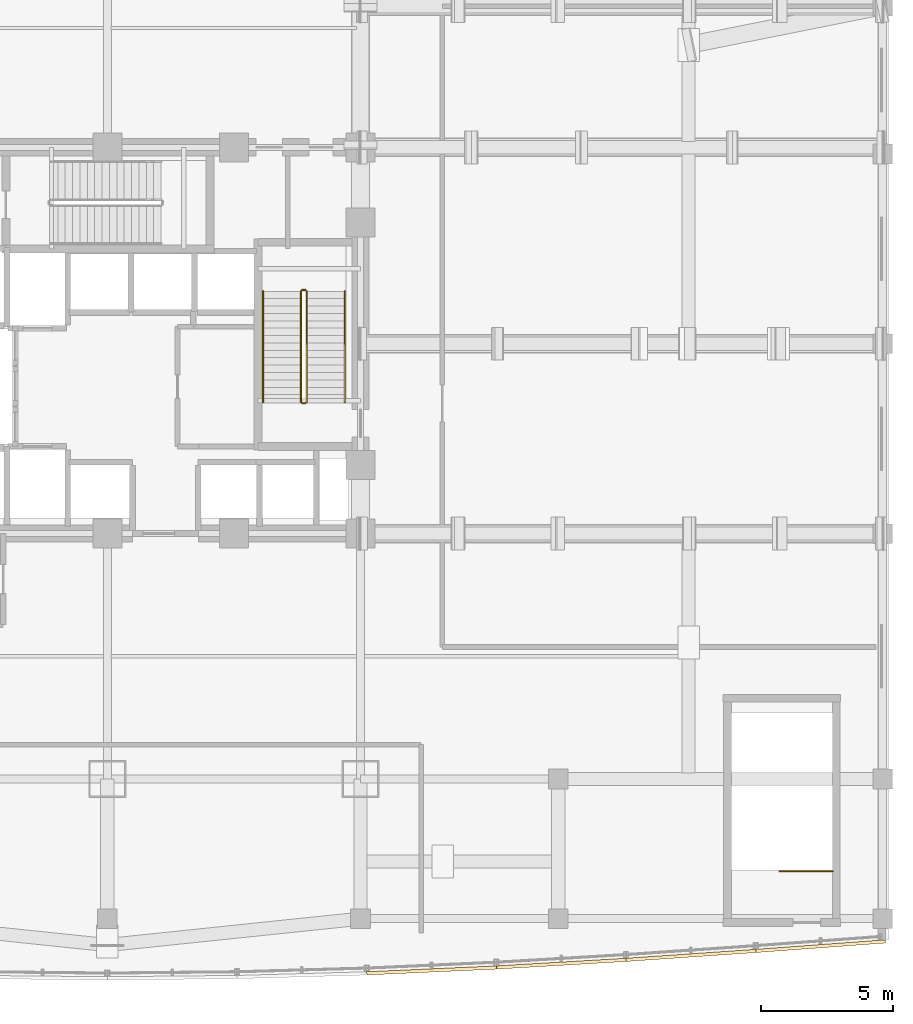
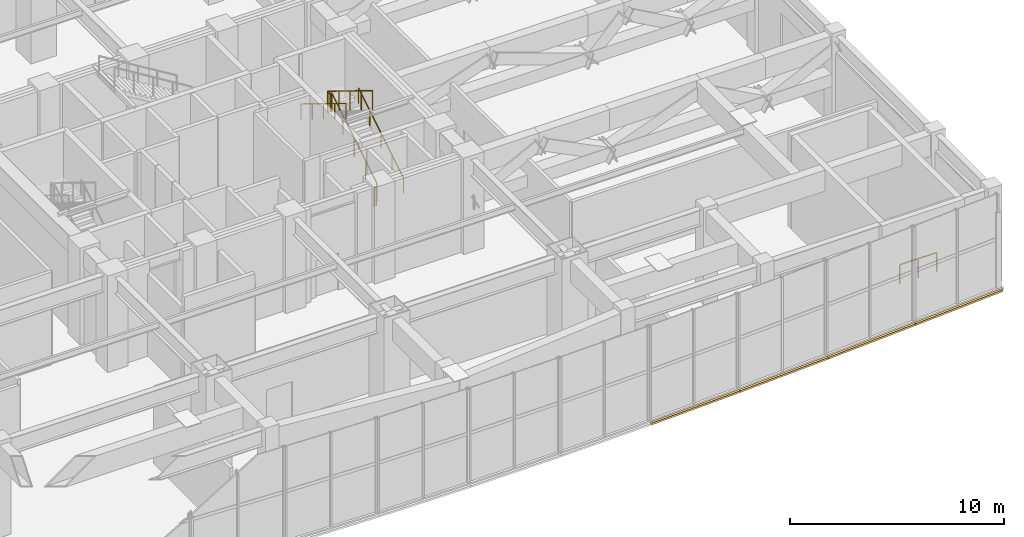
# One storey, part 18 of 19: 7 railings, 4 coverings.
"""IFC4 building model written with IfcOpenShell, lengths in metres."""

from ifc_helpers import new_model, si_unit, direction, frame, origin, origin_2d, place, context, subcontext, project, spatial, polyline, rectangle, outline, extrude, material, layer, layer_set, type_object, element, save


model = new_model("IFC4")

# Units and contexts
model_context = context("Model", 3, precision=1e-05, world=origin(), true_north=direction((0.0, 1.0)))
body_context = subcontext(model_context, "Body", "Model", "MODEL_VIEW")
ifc_project = project(units=[si_unit("LENGTHUNIT", "METRE"), si_unit("AREAUNIT", "SQUARE_METRE"), si_unit("VOLUMEUNIT", "CUBIC_METRE"), si_unit("PLANEANGLEUNIT", "RADIAN"), si_unit("MASSUNIT", "GRAM", prefix="KILO")], contexts=[model_context])

# Site, building, storey
site_placement = place(None, origin())
site = spatial("IfcSite", under=ifc_project, at=site_placement, CompositionType="ELEMENT")
building_placement = place(site_placement, origin())
building = spatial("IfcBuilding", under=site, at=building_placement, Name="Vantalir Tower", CompositionType="ELEMENT")
storey_placement = place(building_placement, frame((0.0, 0.0, 21.5)))
storey = spatial("IfcBuildingStorey", under=building, at=storey_placement, Name="L04", CompositionType="ELEMENT", Elevation=21.5)

# Coverings
ifc_material_1 = material(Name="Anodised champagne aluminium sill fascia", Category="aluminium")
ifc_layer = layer(ifc_material_1, 0.125)
ifc_layer_set = layer_set([ifc_layer], Name="Anodised champagne aluminium sill fascia")
covering_type = type_object("IfcCoveringType", Name="COV-SLAB-FASCIA-125", PredefinedType="CLADDING", material=ifc_layer_set)
covering_1_placement = place(storey_placement, frame((0.0, 0.0, -0.179931640625)))
element("IfcCovering", 1, at=covering_1_placement, inside=storey, type_object=covering_type, Name="L04 South Prow Slab-Edge Fascia 09", PredefinedType="CLADDING", context=body_context, shape_type="SweptSolid", body=[
    extrude(outline(polyline([(41.3330078125, 1.18798828125), (41.339111328125, 1.06298828125), (46.256103515625, 1.284912109375), (46.25, 1.409912109375), (41.3330078125, 1.18798828125)])), origin(), (0.0, 0.0, 1.0), 0.10498046875),
])
covering_2_placement = place(storey_placement, frame((0.0, 0.0, -0.179931640625)))
element("IfcCovering", 2, at=covering_2_placement, inside=storey, type_object=covering_type, Name="L04 South Prow Slab-Edge Fascia 10", PredefinedType="CLADDING", context=body_context, shape_type="SweptSolid", body=[
    extrude(outline(polyline([(46.25, 1.409912109375), (46.257080078125, 1.284912109375), (51.174072265625, 1.574951171875), (51.1669921875, 1.699951171875), (46.25, 1.409912109375)])), origin(), (0.0, 0.0, 1.0), 0.10498046875),
])
covering_3_placement = place(storey_placement, frame((0.0, 0.0, -0.179931640625)))
element("IfcCovering", 3, at=covering_3_placement, inside=storey, type_object=covering_type, Name="L04 South Prow Slab-Edge Fascia 11", PredefinedType="CLADDING", context=body_context, shape_type="SweptSolid", body=[
    extrude(outline(polyline([(51.1669921875, 1.699951171875), (51.176025390625, 1.574951171875), (56.092041015625, 1.9130859375), (56.0830078125, 2.0380859375), (51.1669921875, 1.699951171875)])), origin(), (0.0, 0.0, 1.0), 0.10498046875),
])
covering_4_placement = place(storey_placement, frame((0.0, 0.0, -0.179931640625)))
element("IfcCovering", 4, at=covering_4_placement, inside=storey, type_object=covering_type, Name="L04 South Prow Slab-Edge Fascia 12", PredefinedType="CLADDING", context=body_context, shape_type="SweptSolid", body=[
    extrude(outline(polyline([(56.0830078125, 2.0380859375), (56.092041015625, 1.9130859375), (61.009033203125, 2.27490234375), (61.0, 2.39990234375), (56.0830078125, 2.0380859375)])), origin(), (0.0, 0.0, 1.0), 0.10498046875),
])

# Railings
ifc_material_2 = material(Name="Anodised aluminium and stainless steel guard", Category="steel")
railing_type_1 = type_object("IfcRailingType", Name="RAL-GUARD-1120", PredefinedType="GUARDRAIL", material=ifc_material_2)
railing_1_placement = place(storey_placement, frame((39.06005859375, 22.7900390625, 0.171875)))
element("IfcRailing", 5, at=railing_1_placement, inside=storey, type_object=railing_type_1, Name="L04 ST2 stair guard 1", PredefinedType="GUARDRAIL", context=body_context, shape_type="SweptSolid", body=[
    extrude(rectangle(XDim=0.048095703125, YDim=0.048095703125, at=origin_2d()), frame((0.0, 0.0, 1.09619140625), z_axis=(0.0, 0.852242915053, 0.523146264196), x_axis=(-1.0, 0.0, 0.0)), (0.0, 0.0, 1.0), 4.92822265625),
    extrude(rectangle(XDim=0.0419921875, YDim=0.0419921875, at=origin_2d()), origin(), (0.0, 0.0, 1.0), 1.072021484375),
    extrude(rectangle(XDim=0.0419921875, YDim=0.0419921875, at=origin_2d()), frame((0.0, 1.050048828125, 0.64453125)), (0.0, 0.0, 1.0), 1.072021484375),
    extrude(rectangle(XDim=0.0419921875, YDim=0.0419921875, at=origin_2d()), frame((0.0, 2.10009765625, 1.2890625)), (0.0, 0.0, 1.0), 1.072021484375),
    extrude(rectangle(XDim=0.0419921875, YDim=0.0419921875, at=origin_2d()), frame((0.0, 3.14990234375, 1.93359375)), (0.0, 0.0, 1.0), 1.072021484375),
    extrude(rectangle(XDim=0.0419921875, YDim=0.0419921875, at=origin_2d()), frame((0.0, 4.199951171875, 2.578125)), (0.0, 0.0, 1.0), 1.072021484375),
])
railing_2_placement = place(storey_placement, frame((39.010009765625, 27.0400390625, 2.75)))
element("IfcRailing", 6, at=railing_2_placement, inside=storey, type_object=railing_type_1, Name="L04 ST2 stair guard 2", PredefinedType="GUARDRAIL", context=body_context, shape_type="SweptSolid", body=[
    extrude(rectangle(XDim=0.048095703125, YDim=0.048095703125, at=origin_2d()), frame((0.0, 0.0, 1.09619140625), z_axis=(-1.0, 0.0, 0.0), x_axis=(0.0, -1.0, 0.0)), (0.0, 0.0, 1.0), 0.1201171875),
    extrude(rectangle(XDim=0.0419921875, YDim=0.0419921875, at=origin_2d()), origin(), (0.0, 0.0, 1.0), 1.072021484375),
    extrude(rectangle(XDim=0.0419921875, YDim=0.0419921875, at=origin_2d()), frame((-0.1201171875, 0.0, 0.0)), (0.0, 0.0, 1.0), 1.072021484375),
])
railing_3_placement = place(storey_placement, frame((38.840087890625, 26.989990234375, 2.921875)))
element("IfcRailing", 7, at=railing_3_placement, inside=storey, type_object=railing_type_1, Name="L04 ST2 stair guard 3", PredefinedType="GUARDRAIL", context=body_context, shape_type="SweptSolid", body=[
    extrude(rectangle(XDim=0.048095703125, YDim=0.048095703125, at=origin_2d()), frame((0.0, 0.0, 1.09619140625), z_axis=(0.0, -0.852242915053, 0.523146264196), x_axis=(1.0, 0.0, 0.0)), (0.0, 0.0, 1.0), 4.92822265625),
    extrude(rectangle(XDim=0.0419921875, YDim=0.0419921875, at=origin_2d()), origin(), (0.0, 0.0, 1.0), 1.072021484375),
    extrude(rectangle(XDim=0.0419921875, YDim=0.0419921875, at=origin_2d()), frame((0.0, -1.050048828125, 0.64453125)), (0.0, 0.0, 1.0), 1.072021484375),
    extrude(rectangle(XDim=0.0419921875, YDim=0.0419921875, at=origin_2d()), frame((0.0, -2.10009765625, 1.2890625)), (0.0, 0.0, 1.0), 1.072021484375),
    extrude(rectangle(XDim=0.0419921875, YDim=0.0419921875, at=origin_2d()), frame((0.0, -3.14990234375, 1.93359375)), (0.0, 0.0, 1.0), 1.072021484375),
    extrude(rectangle(XDim=0.0419921875, YDim=0.0419921875, at=origin_2d()), frame((0.0, -4.199951171875, 2.578125)), (0.0, 0.0, 1.0), 1.072021484375),
])
railing_4_placement = place(storey_placement, frame((39.010009765625, 22.739990234375, 0.0)))
element("IfcRailing", 8, at=railing_4_placement, inside=storey, type_object=railing_type_1, Name="L04 ST2 stair guard 4", PredefinedType="GUARDRAIL", context=body_context, shape_type="SweptSolid", body=[
    extrude(rectangle(XDim=0.048095703125, YDim=0.048095703125, at=origin_2d()), frame((0.0, 0.0, 1.09619140625), z_axis=(-1.0, 0.0, 0.0), x_axis=(0.0, -1.0, 0.0)), (0.0, 0.0, 1.0), 0.1201171875),
    extrude(rectangle(XDim=0.0419921875, YDim=0.0419921875, at=origin_2d()), origin(), (0.0, 0.0, 1.0), 1.072021484375),
    extrude(rectangle(XDim=0.0419921875, YDim=0.0419921875, at=origin_2d()), frame((-0.1201171875, 0.0, 0.0)), (0.0, 0.0, 1.0), 1.072021484375),
])
railing_5_placement = place(storey_placement, frame((59.0, 5.0, 0.0)))
element("IfcRailing", 9, at=railing_5_placement, inside=storey, type_object=railing_type_1, Name="L04 PST4 top well guard 1", PredefinedType="GUARDRAIL", context=body_context, shape_type="SweptSolid", body=[
    extrude(rectangle(XDim=0.048095703125, YDim=0.048095703125, at=origin_2d()), frame((0.0, 0.0, 1.09619140625), z_axis=(-1.0, 0.0, 0.0), x_axis=(0.0, -1.0, 0.0)), (0.0, 0.0, 1.0), 2.0),
    extrude(rectangle(XDim=0.0419921875, YDim=0.0419921875, at=origin_2d()), origin(), (0.0, 0.0, 1.0), 1.072021484375),
    extrude(rectangle(XDim=0.0419921875, YDim=0.0419921875, at=origin_2d()), frame((-1.0, 0.0, 0.0)), (0.0, 0.0, 1.0), 1.072021484375),
    extrude(rectangle(XDim=0.0419921875, YDim=0.0419921875, at=origin_2d()), frame((-2.0, 0.0, 0.0)), (0.0, 0.0, 1.0), 1.072021484375),
])
ifc_material_3 = material(Name="Brushed stainless steel tubular handrail", Category="steel")
railing_type_2 = type_object("IfcRailingType", Name="RAL-HANDRAIL-900", PredefinedType="HANDRAIL", material=ifc_material_3)
railing_6_placement = place(storey_placement, frame((40.5, 22.7900390625, 0.171875)))
element("IfcRailing", 10, at=railing_6_placement, inside=storey, type_object=railing_type_2, Name="L04 ST2 stair handrail 1", PredefinedType="HANDRAIL", context=body_context, shape_type="SweptSolid", body=[
    extrude(rectangle(XDim=0.048095703125, YDim=0.048095703125, at=origin_2d()), frame((0.0, 0.0, 0.8759765625), z_axis=(0.0, 0.852242915053, 0.523146264196), x_axis=(-1.0, 0.0, 0.0)), (0.0, 0.0, 1.0), 4.92822265625),
    extrude(rectangle(XDim=0.0419921875, YDim=0.0419921875, at=origin_2d()), origin(), (0.0, 0.0, 1.0), 0.851806640625),
    extrude(rectangle(XDim=0.0419921875, YDim=0.0419921875, at=origin_2d()), frame((0.0, 1.050048828125, 0.64453125)), (0.0, 0.0, 1.0), 0.851806640625),
    extrude(rectangle(XDim=0.0419921875, YDim=0.0419921875, at=origin_2d()), frame((0.0, 2.10009765625, 1.2890625)), (0.0, 0.0, 1.0), 0.851806640625),
    extrude(rectangle(XDim=0.0419921875, YDim=0.0419921875, at=origin_2d()), frame((0.0, 3.14990234375, 1.93359375)), (0.0, 0.0, 1.0), 0.851806640625),
    extrude(rectangle(XDim=0.0419921875, YDim=0.0419921875, at=origin_2d()), frame((0.0, 4.199951171875, 2.578125)), (0.0, 0.0, 1.0), 0.851806640625),
])
railing_7_placement = place(storey_placement, frame((37.39990234375, 26.989990234375, 2.921875)))
element("IfcRailing", 11, at=railing_7_placement, inside=storey, type_object=railing_type_2, Name="L04 ST2 stair handrail 2", PredefinedType="HANDRAIL", context=body_context, shape_type="SweptSolid", body=[
    extrude(rectangle(XDim=0.048095703125, YDim=0.048095703125, at=origin_2d()), frame((0.0, 0.0, 0.8759765625), z_axis=(0.0, -0.852242915053, 0.523146264196), x_axis=(1.0, 0.0, 0.0)), (0.0, 0.0, 1.0), 4.92822265625),
    extrude(rectangle(XDim=0.0419921875, YDim=0.0419921875, at=origin_2d()), origin(), (0.0, 0.0, 1.0), 0.851806640625),
    extrude(rectangle(XDim=0.0419921875, YDim=0.0419921875, at=origin_2d()), frame((0.0, -1.050048828125, 0.64453125)), (0.0, 0.0, 1.0), 0.851806640625),
    extrude(rectangle(XDim=0.0419921875, YDim=0.0419921875, at=origin_2d()), frame((0.0, -2.10009765625, 1.2890625)), (0.0, 0.0, 1.0), 0.851806640625),
    extrude(rectangle(XDim=0.0419921875, YDim=0.0419921875, at=origin_2d()), frame((0.0, -3.14990234375, 1.93359375)), (0.0, 0.0, 1.0), 0.851806640625),
    extrude(rectangle(XDim=0.0419921875, YDim=0.0419921875, at=origin_2d()), frame((0.0, -4.199951171875, 2.578125)), (0.0, 0.0, 1.0), 0.851806640625),
])

save(model, "model.ifc")
